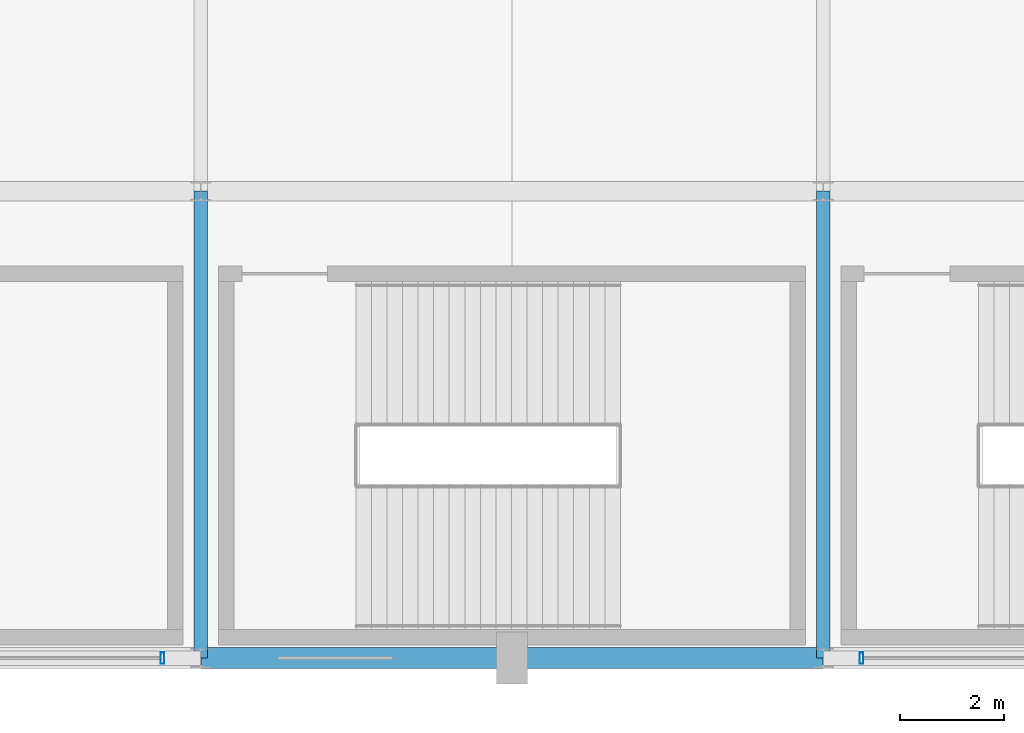
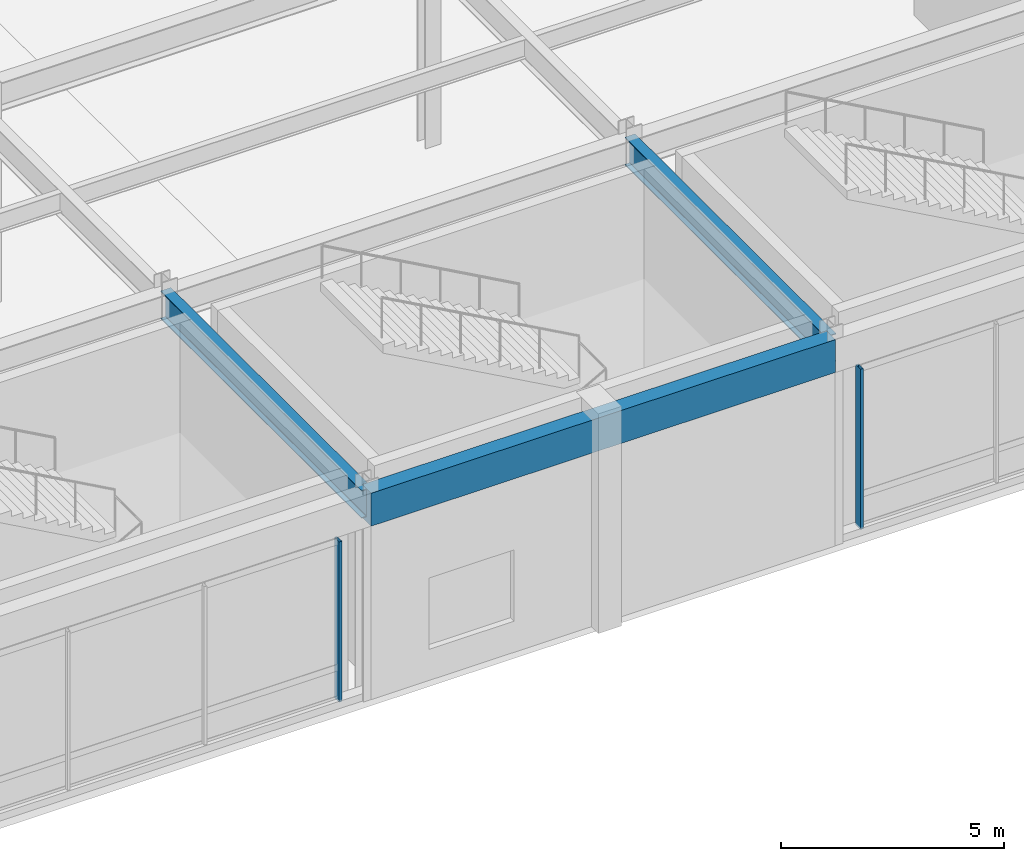
# One storey, part 36 of 108: 3 beams, 2 members, 2 elements without a shape of their own.
"""IFC4 building model written with IfcOpenShell, lengths in metres."""

from ifc_helpers import new_model, si_unit, direction, frame, origin, origin_2d, place, context, subcontext, project, spatial, rectangle, hollow_rectangle, i_section, extrude, material, material_profile, profile_set, type_object, element, aggregate, save


model = new_model("IFC4")

# Units and contexts
model_context = context("Model", 3, precision=1e-05, world=origin(), true_north=direction((0.0, 1.0)))
body_context = subcontext(model_context, "Body", "Model", "MODEL_VIEW")
ifc_project = project(units=[si_unit("LENGTHUNIT", "METRE"), si_unit("AREAUNIT", "SQUARE_METRE"), si_unit("VOLUMEUNIT", "CUBIC_METRE"), si_unit("PLANEANGLEUNIT", "RADIAN"), si_unit("MASSUNIT", "GRAM", prefix="KILO")], contexts=[model_context])

# Site, building, storey
site_placement = place(None, origin())
site = spatial("IfcSite", under=ifc_project, at=site_placement, CompositionType="ELEMENT")
building_placement = place(site_placement, origin())
building = spatial("IfcBuilding", under=site, at=building_placement, Name="Kaldorvane Square Convention Centre", CompositionType="ELEMENT")
storey_placement = place(building_placement, frame((0.0, 0.0, 12.0)))
storey = spatial("IfcBuildingStorey", under=building, at=storey_placement, Name="L02", CompositionType="ELEMENT", Elevation=12.0)

# Beams
ifc_material_1 = material(Name="Steel ASTM A992 Gr. 50", Category="steel")
ifc_material_profile_1 = material_profile(ifc_material_1, i_section(OverallWidth=0.2666015625, OverallDepth=0.762298583984375, WebThickness=0.014404296875, FlangeThickness=0.0216064453125, FilletRadius=0.0164947509765625, at=origin_2d()), Name="W30X116")
ifc_profile_set_1 = profile_set([ifc_material_profile_1], Name="Steel ASTM A992 Gr. 50")
beam_type_1 = type_object("IfcBeamType", Name="BM-GR-W30X116", PredefinedType="BEAM", material=ifc_profile_set_1)
for number, where, z_axis, x_axis, name in (
    (1, (114.0, 0.0, 5.264801025390625), (0.0, 1.0, 0.0), (-1.0, 0.0, 0.0), "Transverse Girder (L02)"),
    (2, (126.0, 0.0, 5.264801025390625), (0.0, 1.0, 0.0), (-1.0, 0.0, 0.0), "Transverse Girder (L02)"),
):
    element("IfcBeam", number, at=place(storey_placement, frame(where, z_axis=z_axis, x_axis=x_axis)), inside=storey, type_object=beam_type_1, Name=name, PredefinedType="BEAM", context=body_context, shape_type="SweptSolid", body=[
        extrude(i_section(OverallWidth=0.2666015625, OverallDepth=0.762298583984375, WebThickness=0.014404296875, FlangeThickness=0.0216064453125, FilletRadius=0.0164947509765625, at=origin_2d()), origin(), (0.0, 0.0, 1.0), 9.0),
    ])
ifc_material_2 = material(Name="Concrete f'c = 42 MPa (Normalweight)", Category="concrete")
ifc_material_profile_2 = material_profile(ifc_material_2, rectangle(XDim=0.399993896484375, YDim=0.899993896484375, at=origin_2d()), Name="RCSP900X400")
ifc_profile_set_2 = profile_set([ifc_material_profile_2], Name="Concrete f'c = 42 MPa (Normalweight)")
beam_type_2 = type_object("IfcBeamType", Name="BM-SP-RC900", PredefinedType="SPANDREL", material=ifc_profile_set_2)
beam_placement = place(storey_placement, frame((114.0, 0.0, 5.1959991455078125), z_axis=(1.0, 0.0, 0.0), x_axis=(0.0, 1.0, 0.0)))
element("IfcBeam", 3, at=beam_placement, inside=storey, type_object=beam_type_2, Name="Perimeter Spandrel (L02)", PredefinedType="SPANDREL", context=body_context, shape_type="SweptSolid", body=[
    extrude(rectangle(XDim=0.399993896484375, YDim=0.899993896484375, at=origin_2d()), origin(), (0.0, 0.0, 1.0), 12.0),
])

# Curtain wall, member
ifc_material_3 = material(Name="Anodized Aluminum and Low-E Insulated Glazing", Category="aluminium")
curtain_wall_type = type_object("IfcCurtainWallType", Name="CW-UNI-P60-12", PredefinedType="USERDEFINED", material=ifc_material_3)
curtain_wall_1_placement = place(storey_placement, origin())
curtain_wall_1 = element("IfcCurtainWall", 4, at=curtain_wall_1_placement, inside=storey, type_object=curtain_wall_type, Name="Curtain Wall CW-01 (L02)", ObjectType="UNITISED GLAZING", PredefinedType="USERDEFINED")
ifc_material_profile_3 = material_profile(ifc_material_3, hollow_rectangle(XDim=0.0749969482421875, YDim=0.220001220703125, WallThickness=0.003997802734375, at=origin_2d()), Name="CWM-220X75")
ifc_profile_set_3 = profile_set([ifc_material_profile_3], Name="Anodized Aluminum and Low-E Insulated Glazing")
member_type = type_object("IfcMemberType", Name="CW-MUL-220", PredefinedType="MULLION", material=ifc_profile_set_3)
member_1_placement = place(storey_placement, frame((113.26249694824219, 0.0, 0.149993896484375), z_axis=(0.0, 0.0, 1.0), x_axis=(1.0, 0.0, 0.0)))
member_1 = element("IfcMember", 5, at=member_1_placement, type_object=member_type, Name="CW-01 mullion 4", PredefinedType="MULLION", context=body_context, shape_type="SweptSolid", body=[
    extrude(hollow_rectangle(XDim=0.0749969482421875, YDim=0.220001220703125, WallThickness=0.003997802734375, at=origin_2d()), origin(), (0.0, 0.0, 1.0), 4.3800048828125),
])
aggregate(curtain_wall_1, [member_1])

curtain_wall_2_placement = place(storey_placement, origin())
curtain_wall_2 = element("IfcCurtainWall", 6, at=curtain_wall_2_placement, inside=storey, type_object=curtain_wall_type, Name="Curtain Wall CW-01 (L02)", ObjectType="UNITISED GLAZING", PredefinedType="USERDEFINED")
member_2_placement = place(storey_placement, frame((126.73750305175781, 0.0, 0.149993896484375), z_axis=(0.0, 0.0, 1.0), x_axis=(1.0, 0.0, 0.0)))
member_2 = element("IfcMember", 7, at=member_2_placement, type_object=member_type, Name="CW-01 mullion 1", PredefinedType="MULLION", context=body_context, shape_type="SweptSolid", body=[
    extrude(hollow_rectangle(XDim=0.0749969482421875, YDim=0.220001220703125, WallThickness=0.003997802734375, at=origin_2d()), origin(), (0.0, 0.0, 1.0), 4.3800048828125),
])
aggregate(curtain_wall_2, [member_2])

save(model, "model.ifc")
